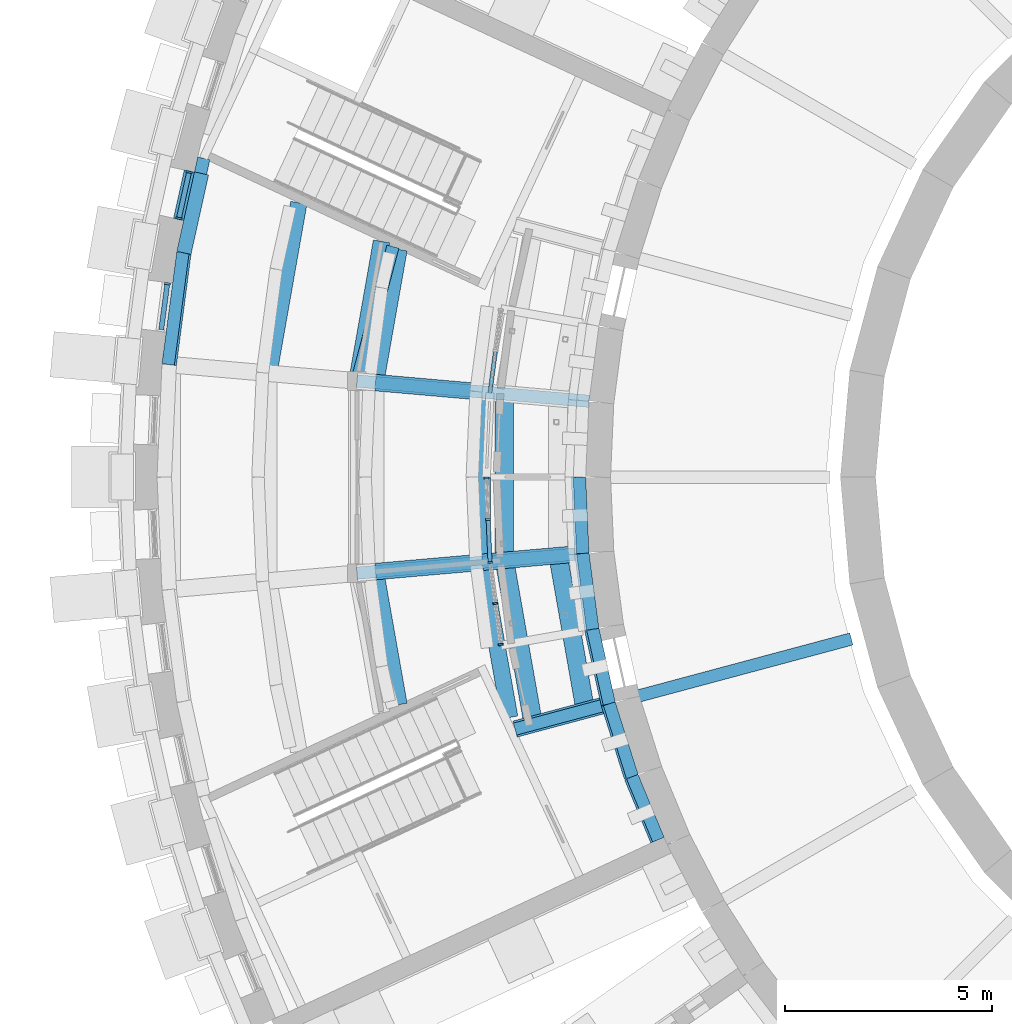
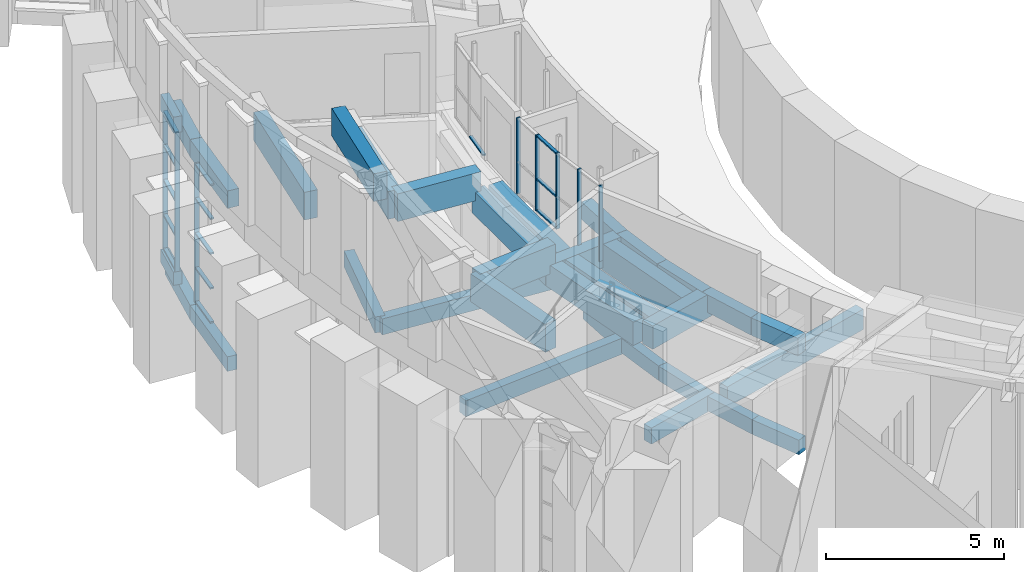
# One storey, part 10 of 66: 34 beams, 22 members, 5 elements without a shape of their own.
"""IFC4 building model written with IfcOpenShell, lengths in metres."""

from ifc_helpers import new_model, si_unit, direction, frame, origin, origin_2d, place, context, subcontext, project, spatial, rectangle, extrude, material, layer, layer_set, material_profile, profile_set, type_object, element, aggregate, save


model = new_model("IFC4")

# Units and contexts
model_context = context("Model", 3, precision=1e-05, world=origin(), true_north=direction((0.0, 1.0)))
body_context = subcontext(model_context, "Body", "Model", "MODEL_VIEW")
ifc_project = project(units=[si_unit("LENGTHUNIT", "METRE"), si_unit("AREAUNIT", "SQUARE_METRE"), si_unit("VOLUMEUNIT", "CUBIC_METRE"), si_unit("PLANEANGLEUNIT", "RADIAN"), si_unit("MASSUNIT", "GRAM", prefix="KILO")], contexts=[model_context])

# Site, building, storey
site_placement = place(None, origin())
site = spatial("IfcSite", under=ifc_project, at=site_placement, CompositionType="ELEMENT")
building_placement = place(site_placement, origin())
building = spatial("IfcBuilding", under=site, at=building_placement, Name="Volute Hill Aquarium", CompositionType="ELEMENT")
storey_placement = place(building_placement, frame((0.0, 0.0, 4.60009765625)))
storey = spatial("IfcBuildingStorey", under=building, at=storey_placement, Name="L02", CompositionType="ELEMENT", Elevation=4.60009765625)

# Beams
ifc_material_1 = material(Name="Concrete C35/45", Category="concrete")
ifc_material_profile_1 = material_profile(ifc_material_1, rectangle(XDim=0.300048828125, YDim=0.550048828125, at=origin_2d()), Name="RC beam 300x550")
ifc_profile_set_1 = profile_set([ifc_material_profile_1], Name="Concrete C35/45")
beam_type_1 = type_object("IfcBeamType", Name="Beam 300x550 C35/45", PredefinedType="BEAM", material=ifc_profile_set_1)
for number, where, z_axis, x_axis, name in (
    (1, (-20.920166015625, 1.830322265625, -0.4951171875), (-0.996194848095, 0.087154028188, 0.0), (-0.087154028188, -0.996194848095, 0.0), "bm/S1/L02/rad2.2"),
    (2, (-20.920166015625, -1.830322265625, -0.4951171875), (-0.996194848095, -0.087154028188, 0.0), (0.087154028188, -0.996194848095, 0.0), "bm/S1/L02/rad3.4"),
):
    element("IfcBeam", number, at=place(storey_placement, frame(where, z_axis=z_axis, x_axis=x_axis)), inside=storey, type_object=beam_type_1, Name=name, PredefinedType="BEAM", context=body_context, shape_type="SweptSolid", body=[
        extrude(rectangle(XDim=0.300048828125, YDim=0.550048828125, at=origin_2d()), origin(), (0.0, 0.0, 1.0), 5.625),
    ])
beam_1_placement = place(storey_placement, frame((-20.284423828125, -5.435302734375, -0.4951171875), z_axis=(-0.965945009114, -0.258747443212, 0.0), x_axis=(0.258747443212, -0.965945009114, 0.0)))
element("IfcBeam", 3, at=beam_1_placement, inside=storey, type_object=beam_type_1, Name="bm/S1/L02/rad4.6", PredefinedType="BEAM", context=body_context, shape_type="SweptSolid", body=[
    extrude(rectangle(XDim=0.300048828125, YDim=0.550048828125, at=origin_2d()), origin(), (0.0, 0.0, 1.0), 2.507080078125),
])
beam_2_placement = place(storey_placement, frame((-25.65478515625, 5.5634765625, -0.4951171875), z_axis=(-0.258807570436, -0.965928900844, 0.0), x_axis=(0.965928900844, -0.258807570436, 0.0)))
element("IfcBeam", 4, at=beam_2_placement, inside=storey, type_object=beam_type_1, Name="bm/S1/L02/ring1.7", PredefinedType="BEAM", context=body_context, shape_type="SweptSolid", body=[
    extrude(rectangle(XDim=0.300048828125, YDim=0.550048828125, at=origin_2d()), origin(), (0.0, 0.0, 1.0), 3.357421875),
])

# Curtain wall, members
ifc_material_2 = material(Name="Aluminium", Category="aluminium")
ifc_layer_1 = layer(ifc_material_2, 0.25)
ifc_layer_set_1 = layer_set([ifc_layer_1], Name="Curtain wall niche S1 module 1193")
curtain_wall_type_1 = type_object("IfcCurtainWallType", Name="Curtain wall niche S1 module 1193", PredefinedType="NOTDEFINED", material=ifc_layer_set_1)
curtain_wall_1_placement = place(storey_placement, origin())
curtain_wall_1 = element("IfcCurtainWall", 5, at=curtain_wall_1_placement, inside=storey, type_object=curtain_wall_type_1, Name="Curtain wall CW S1 L02 3", PredefinedType="NOTDEFINED")
ifc_material_3 = material(Name="Aluminium", Category="aluminium")
ifc_material_profile_2 = material_profile(ifc_material_3, rectangle(XDim=0.14990234375, YDim=0.050048828125, at=origin_2d()), Name="Curtain wall mullion S1 50x150")
ifc_profile_set_2 = profile_set([ifc_material_profile_2], Name="Aluminium")
member_type_1 = type_object("IfcMemberType", Name="Curtain wall mullion S1 50x150", PredefinedType="MULLION", material=ifc_profile_set_2)
member_1_placement = place(storey_placement, frame((-30.57568359375, 7.36376953125, 0.449951171875), z_axis=(0.0, 0.0, 1.0), x_axis=(0.976291877741, -0.216458239523, 0.0)))
member_1 = element("IfcMember", 6, at=member_1_placement, type_object=member_type_1, Name="CW mullion 1", PredefinedType="MULLION", context=body_context, shape_type="SweptSolid", body=[
    extrude(rectangle(XDim=0.14990234375, YDim=0.050048828125, at=origin_2d()), origin(), (0.0, 0.0, 1.0), 4.760009765625),
])
member_2_placement = place(storey_placement, frame((-30.822998046875, 6.247802734375, 0.449951171875), z_axis=(0.0, 0.0, 1.0), x_axis=(0.976291877741, -0.216458239523, 0.0)))
member_2 = element("IfcMember", 7, at=member_2_placement, type_object=member_type_1, Name="CW mullion 2", PredefinedType="MULLION", context=body_context, shape_type="SweptSolid", body=[
    extrude(rectangle(XDim=0.14990234375, YDim=0.050048828125, at=origin_2d()), origin(), (0.0, 0.0, 1.0), 4.760009765625),
])

# Curtain wall, member
curtain_wall_2_placement = place(storey_placement, origin())
curtain_wall_2 = element("IfcCurtainWall", 8, at=curtain_wall_2_placement, inside=storey, type_object=curtain_wall_type_1, Name="Curtain wall CW S1 L02 4", PredefinedType="NOTDEFINED")
member_3_placement = place(storey_placement, frame((-31.10107421875, 4.6708984375, 0.449951171875), z_axis=(0.0, 0.0, 1.0), x_axis=(0.991444135436, -0.130531706148, 0.0)))
member_3 = element("IfcMember", 9, at=member_3_placement, type_object=member_type_1, Name="CW mullion 1", PredefinedType="MULLION", context=body_context, shape_type="SweptSolid", body=[
    extrude(rectangle(XDim=0.14990234375, YDim=0.050048828125, at=origin_2d()), origin(), (0.0, 0.0, 1.0), 4.760009765625),
])

# Curtain wall, members
ifc_material_4 = material(Name="Aluminium", Category="aluminium")
ifc_layer_2 = layer(ifc_material_4, 0.1201171875)
ifc_layer_set_2 = layer_set([ifc_layer_2], Name="Curtain wall S1 pavilion module 1021")
curtain_wall_type_2 = type_object("IfcCurtainWallType", Name="Curtain wall S1 pavilion module 1021", PredefinedType="NOTDEFINED", material=ifc_layer_set_2)
curtain_wall_3_placement = place(storey_placement, origin())
curtain_wall_3 = element("IfcCurtainWall", 10, at=curtain_wall_3_placement, inside=storey, type_object=curtain_wall_type_2, Name="Curtain wall CW S1 pavilion gp2", PredefinedType="NOTDEFINED")
ifc_material_5 = material(Name="Aluminium", Category="aluminium")
ifc_material_profile_3 = material_profile(ifc_material_5, rectangle(XDim=0.1201171875, YDim=0.050048828125, at=origin_2d()), Name="Curtain wall mullion pavilion 50x120")
ifc_profile_set_3 = profile_set([ifc_material_profile_3], Name="Aluminium")
member_type_2 = type_object("IfcMemberType", Name="Curtain wall mullion pavilion 50x120", PredefinedType="MULLION", material=ifc_profile_set_3)
member_4_placement = place(storey_placement, frame((-23.39892578125, -0.02490234375, 4.31982421875), z_axis=(0.0, 0.0, 1.0), x_axis=(0.999049120682, 0.043598789719, 0.0)))
member_4 = element("IfcMember", 11, at=member_4_placement, type_object=member_type_2, Name="Mullion S1 pavilion 1", PredefinedType="MULLION", context=body_context, shape_type="SweptSolid", body=[
    extrude(rectangle(XDim=0.1201171875, YDim=0.050048828125, at=origin_2d()), origin(), (0.0, 0.0, 1.0), 2.60009765625),
])
member_5_placement = place(storey_placement, frame((-23.35546875, -1.019775390625, 4.31982421875), z_axis=(0.0, 0.0, 1.0), x_axis=(0.999049120682, 0.043598789719, 0.0)))
member_5 = element("IfcMember", 12, at=member_5_placement, type_object=member_type_2, Name="Mullion S1 pavilion 2", PredefinedType="MULLION", context=body_context, shape_type="SweptSolid", body=[
    extrude(rectangle(XDim=0.1201171875, YDim=0.050048828125, at=origin_2d()), origin(), (0.0, 0.0, 1.0), 2.60009765625),
])

curtain_wall_4_placement = place(storey_placement, origin())
curtain_wall_4 = element("IfcCurtainWall", 13, at=curtain_wall_4_placement, inside=storey, type_object=curtain_wall_type_2, Name="Curtain wall CW S1 pavilion gp3", PredefinedType="NOTDEFINED")
member_6_placement = place(storey_placement, frame((-23.3076171875, -2.064208984375, 4.31982421875), z_axis=(0.0, 0.0, 1.0), x_axis=(0.991442620702, 0.13054321068, 0.0)))
member_6 = element("IfcMember", 14, at=member_6_placement, type_object=member_type_2, Name="Mullion S1 pavilion 1", PredefinedType="MULLION", context=body_context, shape_type="SweptSolid", body=[
    extrude(rectangle(XDim=0.1201171875, YDim=0.050048828125, at=origin_2d()), origin(), (0.0, 0.0, 1.0), 2.60009765625),
])
member_7_placement = place(storey_placement, frame((-23.177734375, -3.051513671875, 4.31982421875), z_axis=(0.0, 0.0, 1.0), x_axis=(0.991442620702, 0.13054321068, 0.0)))
member_7 = element("IfcMember", 15, at=member_7_placement, type_object=member_type_2, Name="Mullion S1 pavilion 2", PredefinedType="MULLION", context=body_context, shape_type="SweptSolid", body=[
    extrude(rectangle(XDim=0.1201171875, YDim=0.050048828125, at=origin_2d()), origin(), (0.0, 0.0, 1.0), 2.60009765625),
])
member_8_placement = place(storey_placement, frame((-23.0478515625, -4.03857421875, 4.31982421875), z_axis=(0.0, 0.0, 1.0), x_axis=(0.991442620702, 0.13054321068, 0.0)))
member_8 = element("IfcMember", 16, at=member_8_placement, type_object=member_type_2, Name="Mullion S1 pavilion 3", PredefinedType="MULLION", context=body_context, shape_type="SweptSolid", body=[
    extrude(rectangle(XDim=0.1201171875, YDim=0.050048828125, at=origin_2d()), origin(), (0.0, 0.0, 1.0), 2.60009765625),
])
aggregate(curtain_wall_4, [member_6, member_7, member_8])

# Member
ifc_material_6 = material(Name="Aluminium", Category="aluminium")
ifc_material_profile_4 = material_profile(ifc_material_6, rectangle(XDim=0.1201171875, YDim=0.050048828125, at=origin_2d()), Name="Curtain wall transom S1 50x120")
ifc_profile_set_4 = profile_set([ifc_material_profile_4], Name="Aluminium")
member_type_3 = type_object("IfcMemberType", Name="Curtain wall transom S1 50x120", PredefinedType="USERDEFINED", material=ifc_profile_set_4)
member_9_placement = place(storey_placement, frame((-30.5810546875, 7.33935546875, 0.474853515625), z_axis=(-0.216433786926, -0.976297298919, 0.0), x_axis=(0.976297298919, -0.216433786926, 0.0)))
member_9 = element("IfcMember", 17, at=member_9_placement, type_object=member_type_3, Name="CW transom 1.1", ObjectType="TRANSOM", PredefinedType="USERDEFINED", context=body_context, shape_type="SweptSolid", body=[
    extrude(rectangle(XDim=0.1201171875, YDim=0.050048828125, at=origin_2d()), origin(), (0.0, 0.0, 1.0), 1.093017578125),
])

member_10_placement = place(storey_placement, frame((-30.5810546875, 7.33935546875, 1.639892578125), z_axis=(-0.216433786926, -0.976297298919, 0.0), x_axis=(0.976297298919, -0.216433786926, 0.0)))
member_10 = element("IfcMember", 18, at=member_10_placement, type_object=member_type_3, Name="CW transom 1.2", ObjectType="TRANSOM", PredefinedType="USERDEFINED", context=body_context, shape_type="SweptSolid", body=[
    extrude(rectangle(XDim=0.1201171875, YDim=0.050048828125, at=origin_2d()), origin(), (0.0, 0.0, 1.0), 1.093017578125),
])

member_11_placement = place(storey_placement, frame((-30.5810546875, 7.33935546875, 2.829833984375), z_axis=(-0.216433786926, -0.976297298919, 0.0), x_axis=(0.976297298919, -0.216433786926, 0.0)))
member_11 = element("IfcMember", 19, at=member_11_placement, type_object=member_type_3, Name="CW transom 1.3", ObjectType="TRANSOM", PredefinedType="USERDEFINED", context=body_context, shape_type="SweptSolid", body=[
    extrude(rectangle(XDim=0.1201171875, YDim=0.050048828125, at=origin_2d()), origin(), (0.0, 0.0, 1.0), 1.093017578125),
])

member_12_placement = place(storey_placement, frame((-30.5810546875, 7.33935546875, 4.02001953125), z_axis=(-0.216433786926, -0.976297298919, 0.0), x_axis=(0.976297298919, -0.216433786926, 0.0)))
member_12 = element("IfcMember", 20, at=member_12_placement, type_object=member_type_3, Name="CW transom 1.4", ObjectType="TRANSOM", PredefinedType="USERDEFINED", context=body_context, shape_type="SweptSolid", body=[
    extrude(rectangle(XDim=0.1201171875, YDim=0.050048828125, at=origin_2d()), origin(), (0.0, 0.0, 1.0), 1.093017578125),
])

member_13_placement = place(storey_placement, frame((-30.5810546875, 7.33935546875, 5.184814453125), z_axis=(-0.216433786926, -0.976297298919, 0.0), x_axis=(0.976297298919, -0.216433786926, 0.0)))
member_13 = element("IfcMember", 21, at=member_13_placement, type_object=member_type_3, Name="CW transom 1.5", ObjectType="TRANSOM", PredefinedType="USERDEFINED", context=body_context, shape_type="SweptSolid", body=[
    extrude(rectangle(XDim=0.1201171875, YDim=0.050048828125, at=origin_2d()), origin(), (0.0, 0.0, 1.0), 1.093017578125),
])

aggregate(curtain_wall_1, [member_1, member_2, member_9, member_10, member_11, member_12, member_13])

member_14_placement = place(storey_placement, frame((-31.1044921875, 4.64599609375, 0.474853515625), z_axis=(-0.130466070399, -0.991452774707, 0.0), x_axis=(0.991452774707, -0.130466070399, 0.0)))
member_14 = element("IfcMember", 22, at=member_14_placement, type_object=member_type_3, Name="CW transom 1.1", ObjectType="TRANSOM", PredefinedType="USERDEFINED", context=body_context, shape_type="SweptSolid", body=[
    extrude(rectangle(XDim=0.1201171875, YDim=0.050048828125, at=origin_2d()), origin(), (0.0, 0.0, 1.0), 1.0927734375),
])

member_15_placement = place(storey_placement, frame((-31.1044921875, 4.64599609375, 1.639892578125), z_axis=(-0.130466070399, -0.991452774707, 0.0), x_axis=(0.991452774707, -0.130466070399, 0.0)))
member_15 = element("IfcMember", 23, at=member_15_placement, type_object=member_type_3, Name="CW transom 1.2", ObjectType="TRANSOM", PredefinedType="USERDEFINED", context=body_context, shape_type="SweptSolid", body=[
    extrude(rectangle(XDim=0.1201171875, YDim=0.050048828125, at=origin_2d()), origin(), (0.0, 0.0, 1.0), 1.0927734375),
])

member_16_placement = place(storey_placement, frame((-31.1044921875, 4.64599609375, 2.829833984375), z_axis=(-0.130466070399, -0.991452774707, 0.0), x_axis=(0.991452774707, -0.130466070399, 0.0)))
member_16 = element("IfcMember", 24, at=member_16_placement, type_object=member_type_3, Name="CW transom 1.3", ObjectType="TRANSOM", PredefinedType="USERDEFINED", context=body_context, shape_type="SweptSolid", body=[
    extrude(rectangle(XDim=0.1201171875, YDim=0.050048828125, at=origin_2d()), origin(), (0.0, 0.0, 1.0), 1.0927734375),
])

member_17_placement = place(storey_placement, frame((-31.1044921875, 4.64599609375, 4.02001953125), z_axis=(-0.130466070399, -0.991452774707, 0.0), x_axis=(0.991452774707, -0.130466070399, 0.0)))
member_17 = element("IfcMember", 25, at=member_17_placement, type_object=member_type_3, Name="CW transom 1.4", ObjectType="TRANSOM", PredefinedType="USERDEFINED", context=body_context, shape_type="SweptSolid", body=[
    extrude(rectangle(XDim=0.1201171875, YDim=0.050048828125, at=origin_2d()), origin(), (0.0, 0.0, 1.0), 1.0927734375),
])

member_18_placement = place(storey_placement, frame((-31.1044921875, 4.64599609375, 5.184814453125), z_axis=(-0.130466070399, -0.991452774707, 0.0), x_axis=(0.991452774707, -0.130466070399, 0.0)))
member_18 = element("IfcMember", 26, at=member_18_placement, type_object=member_type_3, Name="CW transom 1.5", ObjectType="TRANSOM", PredefinedType="USERDEFINED", context=body_context, shape_type="SweptSolid", body=[
    extrude(rectangle(XDim=0.1201171875, YDim=0.050048828125, at=origin_2d()), origin(), (0.0, 0.0, 1.0), 1.0927734375),
])

aggregate(curtain_wall_2, [member_3, member_14, member_15, member_16, member_17, member_18])

# Curtain wall, member
curtain_wall_5_placement = place(storey_placement, origin())
curtain_wall_5 = element("IfcCurtainWall", 27, at=curtain_wall_5_placement, inside=storey, type_object=curtain_wall_type_2, Name="Curtain wall CW S1 pavilion gp0", PredefinedType="NOTDEFINED")
ifc_material_7 = material(Name="Aluminium", Category="aluminium")
ifc_material_profile_5 = material_profile(ifc_material_7, rectangle(XDim=0.10009765625, YDim=0.050048828125, at=origin_2d()), Name="Curtain wall transom pavilion 50x100")
ifc_profile_set_5 = profile_set([ifc_material_profile_5], Name="Aluminium")
member_type_4 = type_object("IfcMemberType", Name="Curtain wall transom pavilion 50x100", PredefinedType="USERDEFINED", material=ifc_profile_set_5)
member_19_placement = place(storey_placement, frame((-23.180908203125, 3.026611328125, 4.344970703125), z_axis=(-0.130670129879, -0.991425900992, 0.0), x_axis=(0.991425900992, -0.130670129879, 0.0)))
member_19 = element("IfcMember", 28, at=member_19_placement, type_object=member_type_4, Name="Transom S1 pavilion 2.1", ObjectType="TRANSOM", PredefinedType="USERDEFINED", context=body_context, shape_type="SweptSolid", body=[
    extrude(rectangle(XDim=0.10009765625, YDim=0.050048828125, at=origin_2d()), origin(), (0.0, 0.0, 1.0), 0.995849609375),
])
aggregate(curtain_wall_5, [member_19])

# Member
member_20_placement = place(storey_placement, frame((-23.3544921875, -1.044677734375, 4.344970703125), z_axis=(0.043650060132, -0.999046881908, 0.0), x_axis=(0.999046881908, 0.043650060132, 0.0)))
member_20 = element("IfcMember", 29, at=member_20_placement, type_object=member_type_4, Name="Transom S1 pavilion 2.1", ObjectType="TRANSOM", PredefinedType="USERDEFINED", context=body_context, shape_type="SweptSolid", body=[
    extrude(rectangle(XDim=0.10009765625, YDim=0.050048828125, at=origin_2d()), origin(), (0.0, 0.0, 1.0), 0.99560546875),
])

member_21_placement = place(storey_placement, frame((-23.3544921875, -1.044677734375, 5.419921875), z_axis=(0.043650060132, -0.999046881908, 0.0), x_axis=(0.999046881908, 0.043650060132, 0.0)))
member_21 = element("IfcMember", 30, at=member_21_placement, type_object=member_type_4, Name="Transom S1 pavilion 2.2", ObjectType="TRANSOM", PredefinedType="USERDEFINED", context=body_context, shape_type="SweptSolid", body=[
    extrude(rectangle(XDim=0.10009765625, YDim=0.050048828125, at=origin_2d()), origin(), (0.0, 0.0, 1.0), 0.99560546875),
])

member_22_placement = place(storey_placement, frame((-23.3544921875, -1.044677734375, 6.89501953125), z_axis=(0.043650060132, -0.999046881908, 0.0), x_axis=(0.999046881908, 0.043650060132, 0.0)))
member_22 = element("IfcMember", 31, at=member_22_placement, type_object=member_type_4, Name="Head member S1 pavilion 2", ObjectType="TRANSOM", PredefinedType="USERDEFINED", context=body_context, shape_type="SweptSolid", body=[
    extrude(rectangle(XDim=0.10009765625, YDim=0.050048828125, at=origin_2d()), origin(), (0.0, 0.0, 1.0), 0.99560546875),
])

aggregate(curtain_wall_3, [member_4, member_5, member_20, member_21, member_22])

# Beams
ifc_material_8 = material(Name="Concrete C35/45", Category="concrete")
ifc_material_profile_6 = material_profile(ifc_material_8, rectangle(XDim=0.300048828125, YDim=0.5, at=origin_2d()), Name="RC edge beam 300x500")
ifc_profile_set_6 = profile_set([ifc_material_profile_6], Name="Concrete C35/45")
beam_type_2 = type_object("IfcBeamType", Name="Edge beam 300x500 C35/45", PredefinedType="BEAM", material=ifc_profile_set_6)
beam_3_placement = place(storey_placement, frame((-21.150146484375, 0.0, -0.47021484375), z_axis=(0.043661145699, -0.999046397499, 0.0), x_axis=(0.999046397499, 0.043661145699, 0.0)))
element("IfcBeam", 32, at=beam_3_placement, inside=storey, type_object=beam_type_2, Name="bm/S1/L02/edgeD.15", PredefinedType="BEAM", context=body_context, shape_type="SweptSolid", body=[
    extrude(rectangle(XDim=0.300048828125, YDim=0.5, at=origin_2d()), origin(), (0.0, 0.0, 1.0), 1.84521484375),
])
beam_4_placement = place(storey_placement, frame((-21.069580078125, -1.843505859375, -0.47021484375), z_axis=(0.130481898303, -0.991450691772, 0.0), x_axis=(0.991450691772, 0.130481898303, 0.0)))
element("IfcBeam", 33, at=beam_4_placement, inside=storey, type_object=beam_type_2, Name="bm/S1/L02/edgeD.16", PredefinedType="BEAM", context=body_context, shape_type="SweptSolid", body=[
    extrude(rectangle(XDim=0.300048828125, YDim=0.5, at=origin_2d()), origin(), (0.0, 0.0, 1.0), 1.844970703125),
])
for number, where, z_axis, x_axis, name in (
    (34, (-20.828857421875, -3.672607421875, -0.47021484375), (0.216454127071, -0.976292789523, 0.0), (0.976292789523, 0.216454127071, 0.0), "bm/S1/L02/edgeD.17"),
    (35, (-20.429443359375, -5.47412109375, -0.47021484375), (0.300745072312, -0.953704567191, 0.0), (0.953704567191, 0.300745072312, 0.0), "bm/S1/L02/edgeD.18"),
):
    element("IfcBeam", number, at=place(storey_placement, frame(where, z_axis=z_axis, x_axis=x_axis)), inside=storey, type_object=beam_type_2, Name=name, PredefinedType="BEAM", context=body_context, shape_type="SweptSolid", body=[
        extrude(rectangle(XDim=0.300048828125, YDim=0.5, at=origin_2d()), origin(), (0.0, 0.0, 1.0), 1.84521484375),
    ])
beam_5_placement = place(storey_placement, frame((-19.87451171875, -7.23388671875, -0.47021484375), z_axis=(0.382675169935, -0.923882954879, 0.0), x_axis=(0.923882954879, 0.382675169935, 0.0)))
element("IfcBeam", 36, at=beam_5_placement, inside=storey, type_object=beam_type_2, Name="bm/S1/L02/edgeD.19", PredefinedType="BEAM", context=body_context, shape_type="SweptSolid", body=[
    extrude(rectangle(XDim=0.300048828125, YDim=0.5, at=origin_2d()), origin(), (0.0, 0.0, 1.0), 1.644775390625),
])
beam_6_placement = place(storey_placement, frame((-30.221435546875, 7.69287109375, -0.47021484375), z_axis=(-0.216442353874, -0.976295399687, 0.0), x_axis=(0.976295399687, -0.216442353874, 0.0)))
element("IfcBeam", 37, at=beam_6_placement, inside=storey, type_object=beam_type_2, Name="bm/S1/L02/edgeO.22", PredefinedType="BEAM", context=body_context, shape_type="SweptSolid", body=[
    extrude(rectangle(XDim=0.300048828125, YDim=0.5, at=origin_2d()), origin(), (0.0, 0.0, 1.0), 2.330322265625),
])
beam_7_placement = place(storey_placement, frame((-30.725830078125, 5.417724609375, -0.47021484375), z_axis=(-0.130512520762, -0.991446661159, 0.0), x_axis=(0.991446661159, -0.130512520762, 0.0)))
element("IfcBeam", 38, at=beam_7_placement, inside=storey, type_object=beam_type_2, Name="bm/S1/L02/edgeO.23", PredefinedType="BEAM", context=body_context, shape_type="SweptSolid", body=[
    extrude(rectangle(XDim=0.300048828125, YDim=0.5, at=origin_2d()), origin(), (0.0, 0.0, 1.0), 2.7216796875),
])
ifc_material_9 = material(Name="Concrete C35/45", Category="concrete")
ifc_material_profile_7 = material_profile(ifc_material_9, rectangle(XDim=0.35009765625, YDim=0.60009765625, at=origin_2d()), Name="RC edge beam 350x600")
ifc_profile_set_7 = profile_set([ifc_material_profile_7], Name="Concrete C35/45")
beam_type_3 = type_object("IfcBeamType", Name="Edge beam 350x600 C35/45", PredefinedType="BEAM", material=ifc_profile_set_7)
beam_8_placement = place(storey_placement, frame((-21.17529296875, 0.0, 3.0), z_axis=(0.043746939448, -0.99904264438, 0.0), x_axis=(0.99904264438, 0.043746939448, 0.0)))
element("IfcBeam", 39, at=beam_8_placement, inside=storey, type_object=beam_type_3, Name="rb/S1/L02/edgeD.52", PredefinedType="BEAM", context=body_context, shape_type="SweptSolid", body=[
    extrude(rectangle(XDim=0.35009765625, YDim=0.60009765625, at=origin_2d()), origin(), (0.0, 0.0, 1.0), 1.84716796875),
])
beam_9_placement = place(storey_placement, frame((-21.094482421875, -1.845458984375, 3.0), z_axis=(0.130440837846, -0.991456094753, 0.0), x_axis=(0.991456094753, 0.130440837846, 0.0)))
element("IfcBeam", 40, at=beam_9_placement, inside=storey, type_object=beam_type_3, Name="rb/S1/L02/edgeD.53", PredefinedType="BEAM", context=body_context, shape_type="SweptSolid", body=[
    extrude(rectangle(XDim=0.35009765625, YDim=0.60009765625, at=origin_2d()), origin(), (0.0, 0.0, 1.0), 1.847412109375),
])
for number, where, z_axis, x_axis, name in (
    (41, (-20.853515625, -3.677001953125, 3.0), (0.216482636393, -0.976286468277, 0.0), (0.976286468277, 0.216482636393, 0.0), "rb/S1/L02/edgeD.54"),
    (42, (-20.45361328125, -5.48046875, 3.0), (0.30068222963, -0.953724381981, 0.0), (0.953724381981, 0.30068222963, 0.0), "rb/S1/L02/edgeD.55"),
):
    element("IfcBeam", number, at=place(storey_placement, frame(where, z_axis=z_axis, x_axis=x_axis)), inside=storey, type_object=beam_type_3, Name=name, PredefinedType="BEAM", context=body_context, shape_type="SweptSolid", body=[
        extrude(rectangle(XDim=0.35009765625, YDim=0.60009765625, at=origin_2d()), origin(), (0.0, 0.0, 1.0), 1.84716796875),
    ])
beam_10_placement = place(storey_placement, frame((-19.898193359375, -7.2421875, 3.0), z_axis=(0.382709603937, -0.923868691457, 0.0), x_axis=(0.923868691457, 0.382709603937, 0.0)))
element("IfcBeam", 43, at=beam_10_placement, inside=storey, type_object=beam_type_3, Name="rb/S1/L02/edgeD.56", PredefinedType="BEAM", context=body_context, shape_type="SweptSolid", body=[
    extrude(rectangle(XDim=0.35009765625, YDim=0.60009765625, at=origin_2d()), origin(), (0.0, 0.0, 1.0), 1.647216796875),
])
beam_11_placement = place(storey_placement, frame((-30.27587890625, 7.33203125, 5.159912109375), z_axis=(-0.21643053579, -0.976298019653, 0.0), x_axis=(0.976298019653, -0.21643053579, 0.0)))
element("IfcBeam", 44, at=beam_11_placement, inside=storey, type_object=beam_type_3, Name="rb/S1/L02/edgeO.58", PredefinedType="BEAM", context=body_context, shape_type="SweptSolid", body=[
    extrude(rectangle(XDim=0.35009765625, YDim=0.60009765625, at=origin_2d()), origin(), (0.0, 0.0, 1.0), 1.965087890625),
])
beam_12_placement = place(storey_placement, frame((-30.701171875, 5.41357421875, 5.159912109375), z_axis=(-0.130517206736, -0.991446044294, 0.0), x_axis=(0.991446044294, -0.130517206736, 0.0)))
element("IfcBeam", 45, at=beam_12_placement, inside=storey, type_object=beam_type_3, Name="rb/S1/L02/edgeO.59", PredefinedType="BEAM", context=body_context, shape_type="SweptSolid", body=[
    extrude(rectangle(XDim=0.35009765625, YDim=0.60009765625, at=origin_2d()), origin(), (0.0, 0.0, 1.0), 2.7197265625),
])
ifc_material_10 = material(Name="Concrete C35/45", Category="concrete")
ifc_material_profile_8 = material_profile(ifc_material_10, rectangle(XDim=0.300048828125, YDim=0.699951171875, at=origin_2d()), Name="RC beam 300x700")
ifc_profile_set_8 = profile_set([ifc_material_profile_8], Name="Concrete C35/45")
beam_type_4 = type_object("IfcBeamType", Name="Gallery beam RC 300x700", PredefinedType="BEAM", material=ifc_profile_set_8)
beam_13_placement = place(storey_placement, frame((-14.58544921875, -3.908203125, -0.650146484375), z_axis=(-0.965922825334, -0.258830244561, 0.0), x_axis=(0.258830244561, -0.965922825334, 0.0)))
element("IfcBeam", 46, at=beam_13_placement, inside=storey, type_object=beam_type_4, Name="bm/DR/L02/13", PredefinedType="BEAM", context=body_context, shape_type="SweptSolid", body=[
    extrude(rectangle(XDim=0.300048828125, YDim=0.699951171875, at=origin_2d()), origin(), (0.0, 0.0, 1.0), 5.400146484375),
])
ifc_material_11 = material(Name="Concrete C35/45", Category="concrete")
ifc_material_profile_9 = material_profile(ifc_material_11, rectangle(XDim=0.25, YDim=0.550048828125, at=origin_2d()), Name="RC beam 250x550")
ifc_profile_set_9 = profile_set([ifc_material_profile_9], Name="Concrete C35/45")
beam_type_5 = type_object("IfcBeamType", Name="Niche head beam RC 250x550 C35/45", PredefinedType="BEAM", material=ifc_profile_set_9)
beam_14_placement = place(storey_placement, frame((-30.5703125, 7.38818359375, 5.48486328125), z_axis=(-0.216302054747, -0.976326493091, 0.0), x_axis=(0.976326493091, -0.216302054747, 0.0)))
element("IfcBeam", 47, at=beam_14_placement, inside=storey, type_object=beam_type_5, Name="Niche head beam OWB S1 L02 3", PredefinedType="BEAM", context=body_context, shape_type="SweptSolid", body=[
    extrude(rectangle(XDim=0.25, YDim=0.550048828125, at=origin_2d()), origin(), (0.0, 0.0, 1.0), 1.193115234375),
])
ifc_material_12 = material(Name="Concrete C35/45", Category="concrete")
ifc_material_profile_10 = material_profile(ifc_material_12, rectangle(XDim=0.25, YDim=0.449951171875, at=origin_2d()), Name="RC beam 250x450")
ifc_profile_set_10 = profile_set([ifc_material_profile_10], Name="Concrete C35/45")
beam_type_6 = type_object("IfcBeamType", Name="Niche sill beam RC 250x450 C35/45", PredefinedType="BEAM", material=ifc_profile_set_10)
beam_15_placement = place(storey_placement, frame((-30.5703125, 7.38818359375, 0.224853515625), z_axis=(-0.216302054747, -0.976326493091, 0.0), x_axis=(0.976326493091, -0.216302054747, 0.0)))
element("IfcBeam", 48, at=beam_15_placement, inside=storey, type_object=beam_type_6, Name="Niche sill beam OWB S1 L02 3", PredefinedType="BEAM", context=body_context, shape_type="SweptSolid", body=[
    extrude(rectangle(XDim=0.25, YDim=0.449951171875, at=origin_2d()), origin(), (0.0, 0.0, 1.0), 1.193115234375),
])
ifc_material_13 = material(Name="Concrete C35/45", Category="concrete")
ifc_material_profile_11 = material_profile(ifc_material_13, rectangle(XDim=0.39990234375, YDim=0.800048828125, at=origin_2d()), Name="RC beam 400x800")
ifc_profile_set_11 = profile_set([ifc_material_profile_11], Name="Concrete C35/45")
beam_type_7 = type_object("IfcBeamType", Name="Terrace beam 400x800 C35/45", PredefinedType="BEAM", material=ifc_profile_set_11)
beam_16_placement = place(storey_placement, frame((-20.920166015625, -1.830322265625, 2.89990234375), z_axis=(-0.996192283539, -0.087183336805, 0.0), x_axis=(0.087183336805, -0.996192283539, 0.0)))
element("IfcBeam", 49, at=beam_16_placement, inside=storey, type_object=beam_type_7, Name="rb/S1/L02/rad3.23", PredefinedType="BEAM", context=body_context, shape_type="SweptSolid", body=[
    extrude(rectangle(XDim=0.39990234375, YDim=0.800048828125, at=origin_2d()), origin(), (0.0, 0.0, 1.0), 2.58740234375),
])
beam_17_placement = place(storey_placement, frame((-20.284423828125, -5.435302734375, 2.89990234375), z_axis=(-0.965945009114, -0.258747443212, 0.0), x_axis=(0.258747443212, -0.965945009114, 0.0)))
element("IfcBeam", 50, at=beam_17_placement, inside=storey, type_object=beam_type_7, Name="rb/S1/L02/rad4.28", PredefinedType="BEAM", context=body_context, shape_type="SweptSolid", body=[
    extrude(rectangle(XDim=0.39990234375, YDim=0.800048828125, at=origin_2d()), origin(), (0.0, 0.0, 1.0), 2.507080078125),
])
beam_18_placement = place(storey_placement, frame((-23.497802734375, 2.055908203125, 2.89990234375), z_axis=(0.0, -1.0, 0.0), x_axis=(1.0, 0.0, 0.0)))
element("IfcBeam", 51, at=beam_18_placement, inside=storey, type_object=beam_type_7, Name="rb/S1/L02/ring30", PredefinedType="BEAM", context=body_context, shape_type="SweptSolid", body=[
    extrude(rectangle(XDim=0.39990234375, YDim=0.800048828125, at=origin_2d()), origin(), (0.0, 0.0, 1.0), 4.11181640625),
])
beam_19_placement = place(storey_placement, frame((-23.497802734375, -2.055908203125, 2.89990234375), z_axis=(0.173660902444, -0.984805509206, 0.0), x_axis=(0.984805509206, 0.173660902444, 0.0)))
element("IfcBeam", 52, at=beam_19_placement, inside=storey, type_object=beam_type_7, Name="rb/S1/L02/ring31", PredefinedType="BEAM", context=body_context, shape_type="SweptSolid", body=[
    extrude(rectangle(XDim=0.39990234375, YDim=0.800048828125, at=origin_2d()), origin(), (0.0, 0.0, 1.0), 3.8056640625),
])
ifc_material_14 = material(Name="Concrete C35/45", Category="concrete")
ifc_material_profile_12 = material_profile(ifc_material_14, rectangle(XDim=0.39990234375, YDim=0.949951171875, at=origin_2d()), Name="RC beam 400x950")
ifc_profile_set_12 = profile_set([ifc_material_profile_12], Name="Concrete C35/45")
beam_type_8 = type_object("IfcBeamType", Name="Terrace beam 400x950 C35/45", PredefinedType="BEAM", material=ifc_profile_set_12)
for number, where, z_axis, x_axis, name in (
    (53, (-23.497802734375, 2.055908203125, 3.48486328125), (-0.996200474003, 0.08708969857, 0.0), (-0.08708969857, -0.996200474003, 0.0), "rb/S1/L02/rad2.19"),
    (54, (-23.497802734375, -2.055908203125, 3.48486328125), (-0.996200474003, -0.08708969857, 0.0), (0.08708969857, -0.996200474003, 0.0), "rb/S1/L02/rad3.24"),
):
    element("IfcBeam", number, at=place(storey_placement, frame(where, z_axis=z_axis, x_axis=x_axis)), inside=storey, type_object=beam_type_8, Name=name, PredefinedType="BEAM", context=body_context, shape_type="SweptSolid", body=[
        extrude(rectangle(XDim=0.39990234375, YDim=0.949951171875, at=origin_2d()), origin(), (0.0, 0.0, 1.0), 2.58740234375),
    ])
for number, where, z_axis, x_axis, name in (
    (55, (-25.5087890625, 5.495361328125, 3.48486328125), (-0.173623169664, -0.98481216227, 0.0), (0.98481216227, -0.173623169664, 0.0), "rb/S1/L02/ring32"),
    (56, (-26.075439453125, -2.28125, 3.48486328125), (0.173623169664, -0.98481216227, 0.0), (0.98481216227, 0.173623169664, 0.0), "rb/S1/L02/ring34"),
):
    element("IfcBeam", number, at=place(storey_placement, frame(where, z_axis=z_axis, x_axis=x_axis)), inside=storey, type_object=beam_type_8, Name=name, PredefinedType="BEAM", context=body_context, shape_type="SweptSolid", body=[
        extrude(rectangle(XDim=0.39990234375, YDim=0.949951171875, at=origin_2d()), origin(), (0.0, 0.0, 1.0), 3.263671875),
    ])
beam_20_placement = place(storey_placement, frame((-25.92919921875, 5.69140625, 4.224853515625), z_axis=(-0.173679540206, -0.984802222435, 0.0), x_axis=(0.984802222435, -0.173679540206, 0.0)))
element("IfcBeam", 57, at=beam_20_placement, inside=storey, type_object=beam_type_8, Name="rb/S1/L02/ring35", PredefinedType="BEAM", context=body_context, shape_type="SweptSolid", body=[
    extrude(rectangle(XDim=0.39990234375, YDim=0.949951171875, at=origin_2d()), origin(), (0.0, 0.0, 1.0), 3.4228515625),
])
beam_21_placement = place(storey_placement, frame((-27.92724609375, 6.623046875, 4.224853515625), z_axis=(-0.173655378114, -0.984806483352, 0.0), x_axis=(0.984806483352, -0.173655378114, 0.0)))
element("IfcBeam", 58, at=beam_21_placement, inside=storey, type_object=beam_type_8, Name="rb/S1/L02/ring38", PredefinedType="BEAM", context=body_context, shape_type="SweptSolid", body=[
    extrude(rectangle(XDim=0.39990234375, YDim=0.949951171875, at=origin_2d()), origin(), (0.0, 0.0, 1.0), 4.1796875),
])
ifc_material_15 = material(Name="Concrete C35/45", Category="concrete")
ifc_material_profile_13 = material_profile(ifc_material_15, rectangle(XDim=0.449951171875, YDim=0.89990234375, at=origin_2d()), Name="RC transfer beam 450x900")
ifc_profile_set_13 = profile_set([ifc_material_profile_13], Name="Concrete C35/45")
beam_type_9 = type_object("IfcBeamType", Name="Transfer beam 450x900 C35/45", PredefinedType="BEAM", material=ifc_profile_set_13)
beam_22_placement = place(storey_placement, frame((-21.667236328125, -1.8955078125, 2.849853515625), z_axis=(0.173664112187, -0.984804943193, 0.0), x_axis=(0.984804943193, 0.173664112187, 0.0)))
element("IfcBeam", 59, at=beam_22_placement, inside=storey, type_object=beam_type_9, Name="rb/S1/L02/pav43", PredefinedType="BEAM", context=body_context, shape_type="SweptSolid", body=[
    extrude(rectangle(XDim=0.449951171875, YDim=0.89990234375, at=origin_2d()), origin(), (0.0, 0.0, 1.0), 3.79150390625),
])
beam_23_placement = place(storey_placement, frame((-22.96240234375, 2.0087890625, 2.849853515625), z_axis=(0.0, -1.0, 0.0), x_axis=(1.0, 0.0, 0.0)))
element("IfcBeam", 60, at=beam_23_placement, inside=storey, type_object=beam_type_9, Name="rb/S1/L02/pav45", PredefinedType="BEAM", context=body_context, shape_type="SweptSolid", body=[
    extrude(rectangle(XDim=0.449951171875, YDim=0.89990234375, at=origin_2d()), origin(), (0.0, 0.0, 1.0), 4.017578125),
])
beam_24_placement = place(storey_placement, frame((-22.96240234375, -2.0087890625, 2.849853515625), z_axis=(0.173653616558, -0.984806793973, 0.0), x_axis=(0.984806793973, 0.173653616558, 0.0)))
element("IfcBeam", 61, at=beam_24_placement, inside=storey, type_object=beam_type_9, Name="rb/S1/L02/pav46", PredefinedType="BEAM", context=body_context, shape_type="SweptSolid", body=[
    extrude(rectangle(XDim=0.449951171875, YDim=0.89990234375, at=origin_2d()), origin(), (0.0, 0.0, 1.0), 4.01806640625),
])

save(model, "model.ifc")
